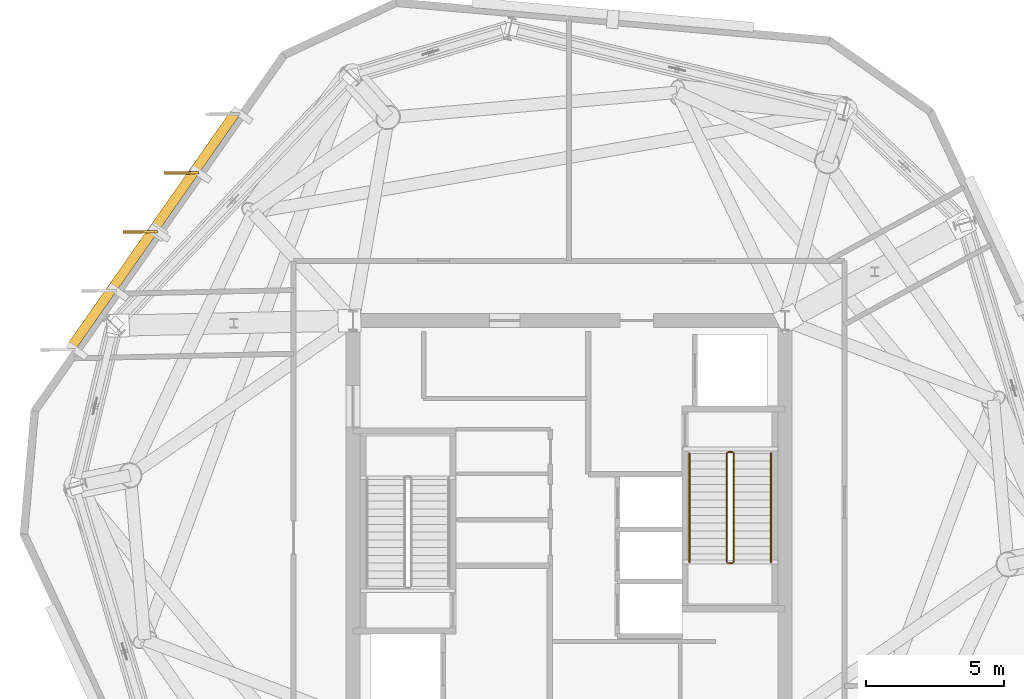
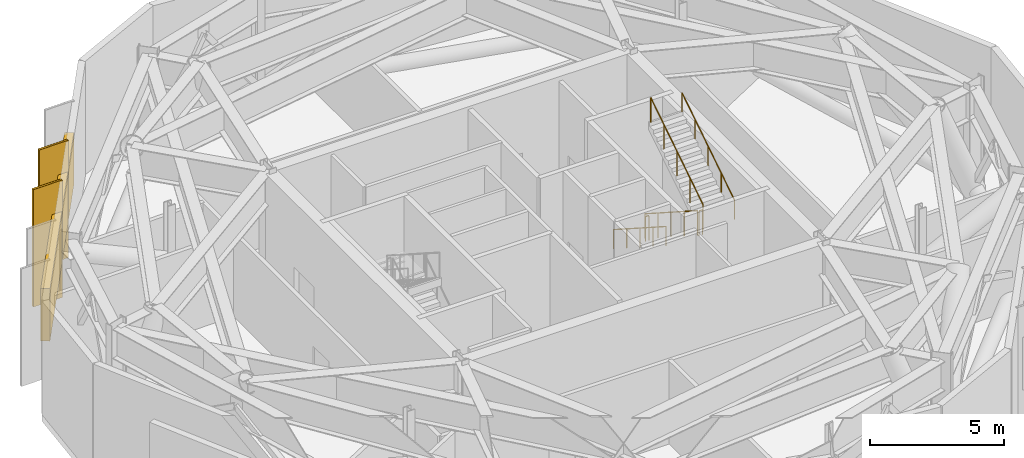
# One storey, part 9 of 10: 6 railings, 3 shading devices, 2 coverings.
"""IFC4 building model written with IfcOpenShell, lengths in metres."""

from ifc_helpers import new_model, si_unit, direction, frame, origin, origin_2d, place, context, subcontext, project, spatial, rectangle, circle, extrude, material, layer, layer_set, type_object, element, save


model = new_model("IFC4")

# Units and contexts
model_context = context("Model", 3, precision=1e-05, world=origin(), true_north=direction((0.0, 1.0)))
body_context = subcontext(model_context, "Body", "Model", "MODEL_VIEW")
ifc_project = project(units=[si_unit("LENGTHUNIT", "METRE"), si_unit("AREAUNIT", "SQUARE_METRE"), si_unit("VOLUMEUNIT", "CUBIC_METRE"), si_unit("PLANEANGLEUNIT", "RADIAN"), si_unit("MASSUNIT", "GRAM", prefix="KILO")], contexts=[model_context])

# Site, building, storey
site_placement = place(None, origin())
site = spatial("IfcSite", under=ifc_project, at=site_placement, CompositionType="ELEMENT")
building_placement = place(site_placement, origin())
building = spatial("IfcBuilding", under=site, at=building_placement, Name="Kranzbogen Civic Tower", CompositionType="ELEMENT")
storey_placement = place(building_placement, frame((0.0, 0.0, 244.800048828125)))
storey = spatial("IfcBuildingStorey", under=building, at=storey_placement, Name="L59", CompositionType="ELEMENT", Elevation=244.800048828125)

# Coverings
ifc_material_1 = material(Name="Pale Anodised Aluminium", Category="aluminium")
ifc_layer = layer(ifc_material_1, 0.02490234375, Name="Pale Anodised Aluminium")
ifc_layer_set = layer_set([ifc_layer], Name="Pale Anodised Aluminium")
covering_type = type_object("IfcCoveringType", Name="Anodised Aluminium Vertical Fin Cladding 25 mm", PredefinedType="CLADDING", material=ifc_layer_set)
for number, where, z_axis, x_axis, name in (
    (1, (10.9990234375, 37.534912109375, -0.14013671875), (0.0, 0.0, 1.0), (-0.999960849454, -0.008848703829, 0.0), "L59 vertical fin pale-metal cladding F2-2"),
    (2, (9.507080078125, 35.405029296875, -0.14013671875), (0.0, 0.0, 1.0), (-0.999960849454, -0.008848703829, 0.0), "L59 vertical fin pale-metal cladding F2-3"),
):
    element("IfcCovering", number, at=place(storey_placement, frame(where, z_axis=z_axis, x_axis=x_axis)), inside=storey, type_object=covering_type, Name=name, PredefinedType="CLADDING", context=body_context, shape_type="SweptSolid", body=[
        extrude(rectangle(XDim=1.25, YDim=0.10009765625, at=origin_2d()), origin(), (0.0, 0.0, 1.0), 5.360107421875),
    ])

# Shading devices
ifc_material_2 = material(Name="Anodised Bronze Aluminium", Category="aluminium")
shading_device_type_1 = type_object("IfcShadingDeviceType", Name="Anodised Bronze Vertical Facade Fin 1250x80", PredefinedType="USERDEFINED", material=ifc_material_2)
for number, where, z_axis, x_axis, name in (
    (3, (10.9990234375, 37.534912109375, -0.14013671875), (0.0, 0.0, 1.0), (-0.999960849454, -0.008848703829, 0.0), "L59 vertical exterior shading fin F2-2"),
    (4, (9.507080078125, 35.405029296875, -0.14013671875), (0.0, 0.0, 1.0), (-0.999960849454, -0.008848703829, 0.0), "L59 vertical exterior shading fin F2-3"),
):
    element("IfcShadingDevice", number, at=place(storey_placement, frame(where, z_axis=z_axis, x_axis=x_axis)), inside=storey, type_object=shading_device_type_1, Name=name, ObjectType="FIN", PredefinedType="USERDEFINED", context=body_context, shape_type="SweptSolid", body=[
        extrude(rectangle(XDim=1.25, YDim=0.080078125, at=origin_2d()), origin(), (0.0, 0.0, 1.0), 5.360107421875),
    ])

# Railings
ifc_material_3 = material(Name="Steel S355", Category="steel")
railing_type_1 = type_object("IfcRailingType", Name="Internal Stair and Void Steel Guardrail 1150", PredefinedType="GUARDRAIL", material=ifc_material_3)
railing_1_placement = place(storey_placement, frame((30.699951171875, 27.39990234375, 0.179931640625)))
element("IfcRailing", 5, at=railing_1_placement, inside=storey, type_object=railing_type_1, Name="L59 ST-T2 stair guard 1", PredefinedType="GUARDRAIL", context=body_context, shape_type="SweptSolid", body=[
    extrude(circle(Radius=0.02392578125, at=origin_2d()), frame((0.0, 0.0, 1.1259765625), z_axis=(0.0, -0.841171666519, 0.540768182723), x_axis=(1.0, 0.0, 0.0)), (0.0, 0.0, 1.0), 4.66015625),
    extrude(circle(Radius=0.02099609375, at=origin_2d()), origin(), (0.0, 0.0, 1.0), 1.101806640625),
    extrude(circle(Radius=0.02099609375, at=origin_2d()), frame((0.0, -0.97998046875, 0.6298828125)), (0.0, 0.0, 1.0), 1.101806640625),
    extrude(circle(Radius=0.02099609375, at=origin_2d()), frame((0.0, -1.9599609375, 1.260009765625)), (0.0, 0.0, 1.0), 1.101806640625),
    extrude(circle(Radius=0.02099609375, at=origin_2d()), frame((0.0, -2.93994140625, 1.89013671875)), (0.0, 0.0, 1.0), 1.101806640625),
    extrude(circle(Radius=0.02099609375, at=origin_2d()), frame((0.0, -3.919921875, 2.52001953125)), (0.0, 0.0, 1.0), 1.101806640625),
])
railing_2_placement = place(storey_placement, frame((30.75, 23.429931640625, 2.699951171875)))
element("IfcRailing", 6, at=railing_2_placement, inside=storey, type_object=railing_type_1, Name="L59 ST-T2 stair guard 2", PredefinedType="GUARDRAIL", context=body_context, shape_type="SweptSolid", body=[
    extrude(circle(Radius=0.02392578125, at=origin_2d()), frame((0.0, 0.0, 1.1259765625), z_axis=(1.0, 0.0, 0.0), x_axis=(0.0, 1.0, 0.0)), (0.0, 0.0, 1.0), 0.14990234375),
    extrude(circle(Radius=0.02099609375, at=origin_2d()), origin(), (0.0, 0.0, 1.0), 1.101806640625),
    extrude(circle(Radius=0.02099609375, at=origin_2d()), frame((0.14990234375, 0.0, 0.0)), (0.0, 0.0, 1.0), 1.101806640625),
])
railing_3_placement = place(storey_placement, frame((30.949951171875, 23.47998046875, 2.8798828125)))
element("IfcRailing", 7, at=railing_3_placement, inside=storey, type_object=railing_type_1, Name="L59 ST-T2 stair guard 3", PredefinedType="GUARDRAIL", context=body_context, shape_type="SweptSolid", body=[
    extrude(circle(Radius=0.02392578125, at=origin_2d()), frame((0.0, 0.0, 1.1259765625), z_axis=(0.0, 0.841171666519, 0.540768182723), x_axis=(-1.0, 0.0, 0.0)), (0.0, 0.0, 1.0), 4.66015625),
    extrude(circle(Radius=0.02099609375, at=origin_2d()), origin(), (0.0, 0.0, 1.0), 1.101806640625),
    extrude(circle(Radius=0.02099609375, at=origin_2d()), frame((0.0, 0.97998046875, 0.6298828125)), (0.0, 0.0, 1.0), 1.101806640625),
    extrude(circle(Radius=0.02099609375, at=origin_2d()), frame((0.0, 1.9599609375, 1.260009765625)), (0.0, 0.0, 1.0), 1.101806640625),
    extrude(circle(Radius=0.02099609375, at=origin_2d()), frame((0.0, 2.93994140625, 1.89013671875)), (0.0, 0.0, 1.0), 1.101806640625),
    extrude(circle(Radius=0.02099609375, at=origin_2d()), frame((0.0, 3.919921875, 2.52001953125)), (0.0, 0.0, 1.0), 1.101806640625),
])
railing_4_placement = place(storey_placement, frame((30.75, 27.449951171875, 0.0)))
element("IfcRailing", 8, at=railing_4_placement, inside=storey, type_object=railing_type_1, Name="L59 ST-T2 stair guard 4", PredefinedType="GUARDRAIL", context=body_context, shape_type="SweptSolid", body=[
    extrude(circle(Radius=0.02392578125, at=origin_2d()), frame((0.0, 0.0, 1.1259765625), z_axis=(1.0, 0.0, 0.0), x_axis=(0.0, 1.0, 0.0)), (0.0, 0.0, 1.0), 0.14990234375),
    extrude(circle(Radius=0.02099609375, at=origin_2d()), origin(), (0.0, 0.0, 1.0), 1.101806640625),
    extrude(circle(Radius=0.02099609375, at=origin_2d()), frame((0.14990234375, 0.0, 0.0)), (0.0, 0.0, 1.0), 1.101806640625),
])

# Shading device
shading_device_type_2 = type_object("IfcShadingDeviceType", Name="Plant Band Acoustic Weather Louvre Module", PredefinedType="USERDEFINED", material=ifc_material_1)
shading_device_placement = place(storey_placement, frame((10.0, 35.5029296875, 1.389892578125), z_axis=(0.0, 0.0, 1.0), x_axis=(-0.573547842201, -0.819172065385, 0.0)))
element("IfcShadingDevice", 9, at=shading_device_placement, inside=storey, type_object=shading_device_type_2, Name="L59 acoustic intake louvre 2", ObjectType="LOUVRE", PredefinedType="USERDEFINED", context=body_context, shape_type="SweptSolid", body=[
    extrude(rectangle(XDim=10.209716796875, YDim=0.35009765625, at=origin_2d()), origin(), (0.0, 0.0, 1.0), 2.39990234375),
])

# Railings
railing_type_2 = type_object("IfcRailingType", Name="Tubular Stainless Stair Wall Handrail 900", PredefinedType="HANDRAIL", material=ifc_material_1)
railing_5_placement = place(storey_placement, frame((29.35009765625, 27.39990234375, 0.179931640625)))
element("IfcRailing", 10, at=railing_5_placement, inside=storey, type_object=railing_type_2, Name="L59 ST-T2 stair handrail 1", PredefinedType="HANDRAIL", context=body_context, shape_type="SweptSolid", body=[
    extrude(circle(Radius=0.02392578125, at=origin_2d()), frame((0.0, 0.0, 0.8759765625), z_axis=(0.0, -0.841171666519, 0.540768182723), x_axis=(1.0, 0.0, 0.0)), (0.0, 0.0, 1.0), 4.66015625),
    extrude(circle(Radius=0.02099609375, at=origin_2d()), origin(), (0.0, 0.0, 1.0), 0.851806640625),
    extrude(circle(Radius=0.02099609375, at=origin_2d()), frame((0.0, -0.97998046875, 0.6298828125)), (0.0, 0.0, 1.0), 0.851806640625),
    extrude(circle(Radius=0.02099609375, at=origin_2d()), frame((0.0, -1.9599609375, 1.260009765625)), (0.0, 0.0, 1.0), 0.851806640625),
    extrude(circle(Radius=0.02099609375, at=origin_2d()), frame((0.0, -2.93994140625, 1.89013671875)), (0.0, 0.0, 1.0), 0.851806640625),
    extrude(circle(Radius=0.02099609375, at=origin_2d()), frame((0.0, -3.919921875, 2.52001953125)), (0.0, 0.0, 1.0), 0.851806640625),
])
railing_6_placement = place(storey_placement, frame((32.300048828125, 23.47998046875, 2.8798828125)))
element("IfcRailing", 11, at=railing_6_placement, inside=storey, type_object=railing_type_2, Name="L59 ST-T2 stair handrail 2", PredefinedType="HANDRAIL", context=body_context, shape_type="SweptSolid", body=[
    extrude(circle(Radius=0.02392578125, at=origin_2d()), frame((0.0, 0.0, 0.8759765625), z_axis=(0.0, 0.841171666519, 0.540768182723), x_axis=(-1.0, 0.0, 0.0)), (0.0, 0.0, 1.0), 4.66015625),
    extrude(circle(Radius=0.02099609375, at=origin_2d()), origin(), (0.0, 0.0, 1.0), 0.851806640625),
    extrude(circle(Radius=0.02099609375, at=origin_2d()), frame((0.0, 0.97998046875, 0.6298828125)), (0.0, 0.0, 1.0), 0.851806640625),
    extrude(circle(Radius=0.02099609375, at=origin_2d()), frame((0.0, 1.9599609375, 1.260009765625)), (0.0, 0.0, 1.0), 0.851806640625),
    extrude(circle(Radius=0.02099609375, at=origin_2d()), frame((0.0, 2.93994140625, 1.89013671875)), (0.0, 0.0, 1.0), 0.851806640625),
    extrude(circle(Radius=0.02099609375, at=origin_2d()), frame((0.0, 3.919921875, 2.52001953125)), (0.0, 0.0, 1.0), 0.851806640625),
])

save(model, "model.ifc")
